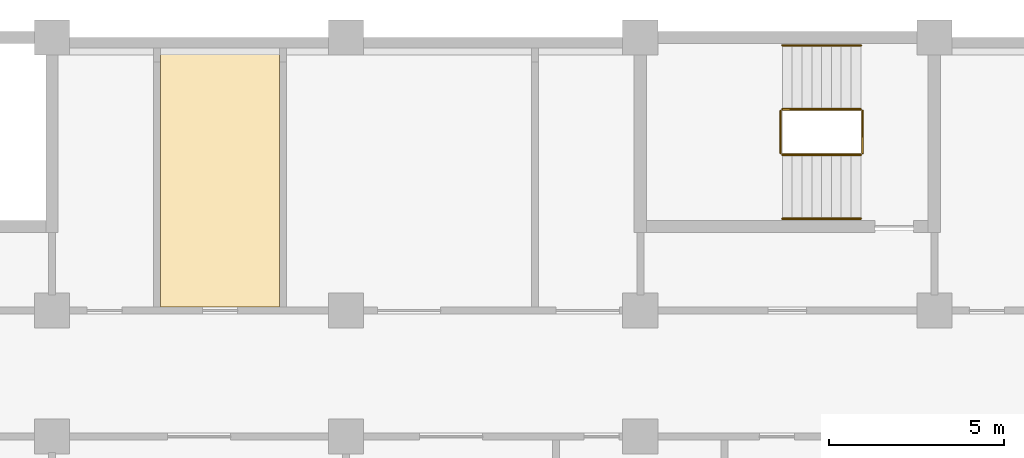
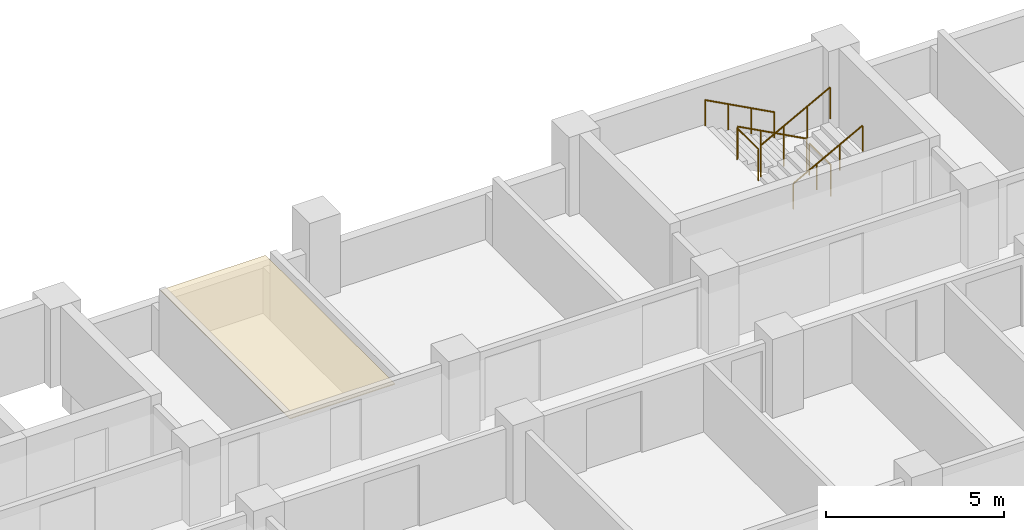
# One storey, part 89 of 89: 6 railings, 1 covering.
"""IFC4 building model written with IfcOpenShell, lengths in metres."""

from ifc_helpers import new_model, si_unit, direction, frame, origin, origin_2d, place, context, subcontext, project, spatial, polyline, circle, outline, extrude, material, layer, layer_set, type_object, element, save


model = new_model("IFC4")

# Units and contexts
model_context = context("Model", 3, precision=1e-05, world=origin(), true_north=direction((0.0, 1.0)))
body_context = subcontext(model_context, "Body", "Model", "MODEL_VIEW")
ifc_project = project(units=[si_unit("LENGTHUNIT", "METRE"), si_unit("AREAUNIT", "SQUARE_METRE"), si_unit("VOLUMEUNIT", "CUBIC_METRE"), si_unit("PLANEANGLEUNIT", "RADIAN"), si_unit("MASSUNIT", "GRAM", prefix="KILO")], contexts=[model_context])

# Site, building, storey
site_placement = place(None, origin())
site = spatial("IfcSite", under=ifc_project, at=site_placement, CompositionType="ELEMENT")
building_placement = place(site_placement, origin())
building = spatial("IfcBuilding", under=site, at=building_placement, Name="Bougainvillea Quay General Hospital", CompositionType="ELEMENT")
storey_placement = place(building_placement, frame((0.0, 0.0, 9.89990234375)))
storey = spatial("IfcBuildingStorey", under=building, at=storey_placement, Name="L01M", CompositionType="ELEMENT", Elevation=9.89990234375)

# Railings
ifc_material_1 = material(Name="Stainless steel 304 balustrade", Category="steel")
railing_type_1 = type_object("IfcRailingType", Name="Stair guard 1100", PredefinedType="GUARDRAIL", material=ifc_material_1)
railing_1_placement = place(storey_placement, frame((182.699951171875, 157.550048828125, 0.150146484375)))
element("IfcRailing", 1, at=railing_1_placement, inside=storey, type_object=railing_type_1, Name="L01M ST-A4 stair guard 1", PredefinedType="GUARDRAIL", context=body_context, shape_type="SweptSolid", body=[
    extrude(circle(Radius=0.02392578125, at=origin_2d()), frame((0.0, 0.0, 1.076171875), z_axis=(-0.881487111273, 0.0, 0.472208081951), x_axis=(0.0, -1.0, 0.0)), (0.0, 0.0, 1.0), 2.541259765625),
    extrude(circle(Radius=0.02099609375, at=origin_2d()), origin(), (0.0, 0.0, 1.0), 1.052001953125),
    extrude(circle(Radius=0.02099609375, at=origin_2d()), frame((-0.74658203125, 0.0, 0.39990234375)), (0.0, 0.0, 1.0), 1.052001953125),
    extrude(circle(Radius=0.02099609375, at=origin_2d()), frame((-1.493408203125, 0.0, 0.800048828125)), (0.0, 0.0, 1.0), 1.052001953125),
    extrude(circle(Radius=0.02099609375, at=origin_2d()), frame((-2.239990234375, 0.0, 1.199951171875)), (0.0, 0.0, 1.0), 1.052001953125),
])
railing_2_placement = place(storey_placement, frame((180.409912109375, 157.5, 1.35009765625)))
element("IfcRailing", 2, at=railing_2_placement, inside=storey, type_object=railing_type_1, Name="L01M ST-A4 stair guard 2", PredefinedType="GUARDRAIL", context=body_context, shape_type="SweptSolid", body=[
    extrude(circle(Radius=0.02392578125, at=origin_2d()), frame((0.0, 0.0, 1.076171875), z_axis=(0.0, -1.0, 0.0), x_axis=(1.0, 0.0, 0.0)), (0.0, 0.0, 1.0), 1.199951171875),
    extrude(circle(Radius=0.02099609375, at=origin_2d()), origin(), (0.0, 0.0, 1.0), 1.052001953125),
    extrude(circle(Radius=0.02099609375, at=origin_2d()), frame((0.0, -1.199951171875, 0.0)), (0.0, 0.0, 1.0), 1.052001953125),
])
railing_3_placement = place(storey_placement, frame((180.4599609375, 156.25, 1.5)))
element("IfcRailing", 3, at=railing_3_placement, inside=storey, type_object=railing_type_1, Name="L01M ST-A4 stair guard 3", PredefinedType="GUARDRAIL", context=body_context, shape_type="SweptSolid", body=[
    extrude(circle(Radius=0.02392578125, at=origin_2d()), frame((0.0, 0.0, 1.076171875), z_axis=(0.881447119201, 0.0, 0.472282728937), x_axis=(0.0, 1.0, 0.0)), (0.0, 0.0, 1.0), 2.541259765625),
    extrude(circle(Radius=0.02099609375, at=origin_2d()), origin(), (0.0, 0.0, 1.0), 1.052001953125),
    extrude(circle(Radius=0.02099609375, at=origin_2d()), frame((0.74658203125, 0.0, 0.400146484375)), (0.0, 0.0, 1.0), 1.052001953125),
    extrude(circle(Radius=0.02099609375, at=origin_2d()), frame((1.493408203125, 0.0, 0.800048828125)), (0.0, 0.0, 1.0), 1.052001953125),
    extrude(circle(Radius=0.02099609375, at=origin_2d()), frame((2.239990234375, 0.0, 1.2001953125)), (0.0, 0.0, 1.0), 1.052001953125),
])
railing_4_placement = place(storey_placement, frame((182.75, 157.5, 0.0)))
element("IfcRailing", 4, at=railing_4_placement, inside=storey, type_object=railing_type_1, Name="L01M ST-A4 stair guard 4", PredefinedType="GUARDRAIL", context=body_context, shape_type="SweptSolid", body=[
    extrude(circle(Radius=0.02392578125, at=origin_2d()), frame((0.0, 0.0, 1.076171875), z_axis=(0.0, -1.0, 0.0), x_axis=(1.0, 0.0, 0.0)), (0.0, 0.0, 1.0), 1.199951171875),
    extrude(circle(Radius=0.02099609375, at=origin_2d()), origin(), (0.0, 0.0, 1.0), 1.052001953125),
    extrude(circle(Radius=0.02099609375, at=origin_2d()), frame((0.0, -1.199951171875, 0.0)), (0.0, 0.0, 1.0), 1.052001953125),
])
ifc_material_2 = material(Name="Stainless steel 304 handrail", Category="steel")
railing_type_2 = type_object("IfcRailingType", Name="Stair handrail 900", PredefinedType="HANDRAIL", material=ifc_material_2)
railing_5_placement = place(storey_placement, frame((182.699951171875, 159.375, 0.150146484375)))
element("IfcRailing", 5, at=railing_5_placement, inside=storey, type_object=railing_type_2, Name="L01M ST-A4 stair handrail 1", PredefinedType="HANDRAIL", context=body_context, shape_type="SweptSolid", body=[
    extrude(circle(Radius=0.02392578125, at=origin_2d()), frame((0.0, 0.0, 0.8759765625), z_axis=(-0.881487111273, 0.0, 0.472208081951), x_axis=(0.0, -1.0, 0.0)), (0.0, 0.0, 1.0), 2.541259765625),
    extrude(circle(Radius=0.02099609375, at=origin_2d()), origin(), (0.0, 0.0, 1.0), 0.851806640625),
    extrude(circle(Radius=0.02099609375, at=origin_2d()), frame((-0.74658203125, 0.0, 0.39990234375)), (0.0, 0.0, 1.0), 0.851806640625),
    extrude(circle(Radius=0.02099609375, at=origin_2d()), frame((-1.493408203125, 0.0, 0.800048828125)), (0.0, 0.0, 1.0), 0.851806640625),
    extrude(circle(Radius=0.02099609375, at=origin_2d()), frame((-2.239990234375, 0.0, 1.199951171875)), (0.0, 0.0, 1.0), 0.851806640625),
])
railing_6_placement = place(storey_placement, frame((180.4599609375, 154.425048828125, 1.5)))
element("IfcRailing", 6, at=railing_6_placement, inside=storey, type_object=railing_type_2, Name="L01M ST-A4 stair handrail 2", PredefinedType="HANDRAIL", context=body_context, shape_type="SweptSolid", body=[
    extrude(circle(Radius=0.02392578125, at=origin_2d()), frame((0.0, 0.0, 0.8759765625), z_axis=(0.881447119201, 0.0, 0.472282728937), x_axis=(0.0, 1.0, 0.0)), (0.0, 0.0, 1.0), 2.541259765625),
    extrude(circle(Radius=0.02099609375, at=origin_2d()), origin(), (0.0, 0.0, 1.0), 0.851806640625),
    extrude(circle(Radius=0.02099609375, at=origin_2d()), frame((0.74658203125, 0.0, 0.400146484375)), (0.0, 0.0, 1.0), 0.851806640625),
    extrude(circle(Radius=0.02099609375, at=origin_2d()), frame((1.493408203125, 0.0, 0.800048828125)), (0.0, 0.0, 1.0), 0.851806640625),
    extrude(circle(Radius=0.02099609375, at=origin_2d()), frame((2.239990234375, 0.0, 1.2001953125)), (0.0, 0.0, 1.0), 0.851806640625),
])

# Covering
ifc_material_3 = material(Name="Mineral fibre ceiling tile")
ifc_layer = layer(ifc_material_3, 0.030029296875)
ifc_layer_set = layer_set([ifc_layer], Name="Mineral fibre ceiling tile")
covering_type = type_object("IfcCoveringType", Name="Suspended ceiling mineral fibre tile", PredefinedType="CEILING", material=ifc_layer_set)
covering_placement = place(storey_placement, frame((0.0, 0.0, 2.050048828125)))
element("IfcCovering", 7, at=covering_placement, inside=storey, type_object=covering_type, Name="Ceiling Lighting Control Room", PredefinedType="CEILING", context=body_context, shape_type="SweptSolid", body=[
    extrude(outline(polyline([(162.699951171875, 151.89990234375), (166.10009765625, 151.89990234375), (166.10009765625, 159.14990234375), (162.699951171875, 159.14990234375), (162.699951171875, 151.89990234375)])), origin(), (0.0, 0.0, 1.0), 0.030029296875),
])

save(model, "model.ifc")
